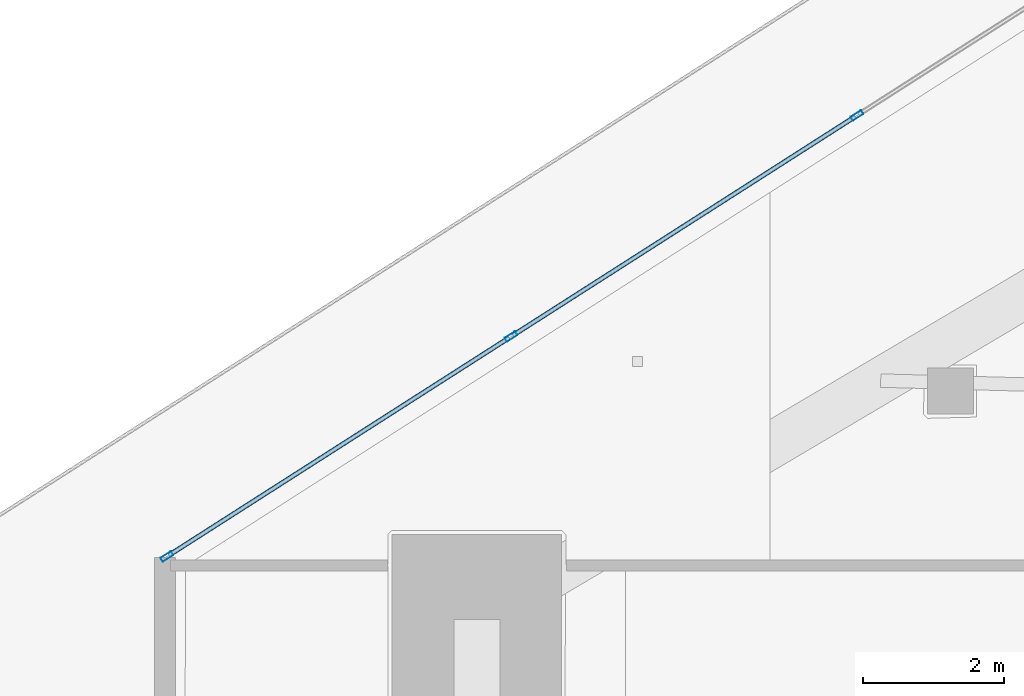
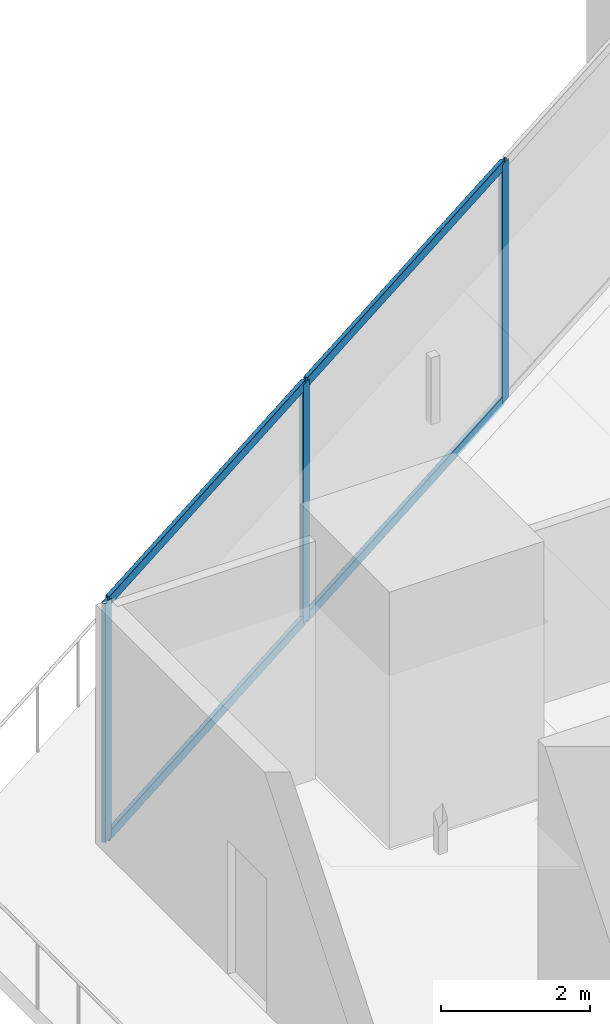
# One storey, part 13 of 44: 7 members, 1 element without a shape of its own.
"""IFC4 building model written with IfcOpenShell, lengths in metres."""

from ifc_helpers import new_model, si_unit, direction, frame, origin, origin_2d, place, context, subcontext, project, spatial, hollow_rectangle, extrude, material, layer, layer_set, material_profile, profile_set, type_object, element, aggregate, save


model = new_model("IFC4")

# Units and contexts
model_context = context("Model", 3, precision=1e-05, world=origin(), true_north=direction((0.0, 1.0)))
body_context = subcontext(model_context, "Body", "Model", "MODEL_VIEW")
ifc_project = project(units=[si_unit("LENGTHUNIT", "METRE"), si_unit("AREAUNIT", "SQUARE_METRE"), si_unit("VOLUMEUNIT", "CUBIC_METRE"), si_unit("PLANEANGLEUNIT", "RADIAN"), si_unit("MASSUNIT", "GRAM", prefix="KILO")], contexts=[model_context])

# Site, building, storey
site_placement = place(None, origin())
site = spatial("IfcSite", under=ifc_project, at=site_placement, CompositionType="ELEMENT")
building_placement = place(site_placement, origin())
building = spatial("IfcBuilding", under=site, at=building_placement, Name="Qorvath Tower", CompositionType="ELEMENT")
storey_placement = place(building_placement, frame((0.0, 0.0, 70.199951171875)))
storey = spatial("IfcBuildingStorey", under=building, at=storey_placement, Name="L15", CompositionType="ELEMENT", Elevation=70.199951171875)

# Curtain wall, members
ifc_material_1 = material(Name="Anodised aluminium and triple low-E glass", Category="aluminium")
ifc_layer = layer(ifc_material_1, 0.179931640625)
ifc_layer_set = layer_set([ifc_layer], Name="CW-SYS-2")
curtain_wall_type = type_object("IfcCurtainWallType", Name="CW-SYS-2", PredefinedType="NOTDEFINED", material=ifc_layer_set)
curtain_wall_placement = place(storey_placement, origin())
curtain_wall = element("IfcCurtainWall", 1, at=curtain_wall_placement, inside=storey, type_object=curtain_wall_type, Name="Curtain Wall CW-2 CW-T-L15-16.3", PredefinedType="NOTDEFINED")
ifc_material_2 = material(Name="Anodised aluminium 6063-T6", Category="aluminium")
ifc_material_profile_1 = material_profile(ifc_material_2, hollow_rectangle(XDim=0.06494140625, YDim=0.179931640625, WallThickness=0.00341796875, InnerFilletRadius=0.00341796875, OuterFilletRadius=0.007080078125, at=origin_2d()), Name="CWM 180x65")
ifc_profile_set_1 = profile_set([ifc_material_profile_1], Name="Anodised aluminium 6063-T6")
member_type_1 = type_object("IfcMemberType", Name="CWM-180", PredefinedType="MULLION", material=ifc_profile_set_1)
member_1_placement = place(storey_placement, frame((-49.9033203125, 10.326416015625, 0.0), z_axis=(0.0, 0.0, 1.0), x_axis=(0.538530641183, -0.842605927173, 0.0)))
member_1 = element("IfcMember", 2, at=member_1_placement, type_object=member_type_1, Name="CW-2 mullion 3", PredefinedType="MULLION", context=body_context, shape_type="SweptSolid", body=[
    extrude(hollow_rectangle(XDim=0.06494140625, YDim=0.179931640625, WallThickness=0.00341796875, InnerFilletRadius=0.00341796875, OuterFilletRadius=0.007080078125, at=origin_2d()), origin(), (0.0, 0.0, 1.0), 3.920166015625),
])
member_2_placement = place(storey_placement, frame((-54.800048828125, 7.196533203125, 0.0), z_axis=(0.0, 0.0, 1.0), x_axis=(0.538530641183, -0.842605927173, 0.0)))
member_2 = element("IfcMember", 3, at=member_2_placement, type_object=member_type_1, Name="CW-2 mullion 4", PredefinedType="MULLION", context=body_context, shape_type="SweptSolid", body=[
    extrude(hollow_rectangle(XDim=0.06494140625, YDim=0.179931640625, WallThickness=0.00341796875, InnerFilletRadius=0.00341796875, OuterFilletRadius=0.007080078125, at=origin_2d()), origin(), (0.0, 0.0, 1.0), 3.920166015625),
])
member_3_placement = place(storey_placement, frame((-59.669677734375, 4.08447265625, 0.0), z_axis=(0.0, 0.0, 1.0), x_axis=(0.538530641183, -0.842605927173, 0.0)))
member_3 = element("IfcMember", 4, at=member_3_placement, type_object=member_type_1, Name="CW-2 mullion 5", PredefinedType="MULLION", context=body_context, shape_type="SweptSolid", body=[
    extrude(hollow_rectangle(XDim=0.06494140625, YDim=0.179931640625, WallThickness=0.00341796875, InnerFilletRadius=0.00341796875, OuterFilletRadius=0.007080078125, at=origin_2d()), origin(), (0.0, 0.0, 1.0), 3.920166015625),
])
ifc_material_3 = material(Name="Anodised aluminium 6063-T6", Category="aluminium")
ifc_material_profile_2 = material_profile(ifc_material_3, hollow_rectangle(XDim=0.06494140625, YDim=0.159912109375, WallThickness=0.00341796875, InnerFilletRadius=0.00341796875, OuterFilletRadius=0.007080078125, at=origin_2d()), Name="CWT 160x65")
ifc_profile_set_2 = profile_set([ifc_material_profile_2], Name="Anodised aluminium 6063-T6")
member_type_2 = type_object("IfcMemberType", Name="CWT-160", PredefinedType="USERDEFINED", material=ifc_profile_set_2)
member_4_placement = place(storey_placement, frame((-49.9306640625, 10.308837890625, 0.032470703125), z_axis=(-0.842601476504, -0.538537604809, 0.0), x_axis=(0.538537604809, -0.842601476504, 0.0)))
member_4 = element("IfcMember", 5, at=member_4_placement, type_object=member_type_2, Name="CW-2 transom 3.1", ObjectType="TRANSOM", PredefinedType="USERDEFINED", context=body_context, shape_type="SweptSolid", body=[
    extrude(hollow_rectangle(XDim=0.06494140625, YDim=0.159912109375, WallThickness=0.00341796875, InnerFilletRadius=0.00341796875, OuterFilletRadius=0.007080078125, at=origin_2d()), origin(), (0.0, 0.0, 1.0), 5.74658203125),
])
member_5_placement = place(storey_placement, frame((-49.9306640625, 10.308837890625, 3.8876953125), z_axis=(-0.842601476504, -0.538537604809, 0.0), x_axis=(0.538537604809, -0.842601476504, 0.0)))
member_5 = element("IfcMember", 6, at=member_5_placement, type_object=member_type_2, Name="CW-2 transom 3.2", ObjectType="TRANSOM", PredefinedType="USERDEFINED", context=body_context, shape_type="SweptSolid", body=[
    extrude(hollow_rectangle(XDim=0.06494140625, YDim=0.159912109375, WallThickness=0.00341796875, InnerFilletRadius=0.00341796875, OuterFilletRadius=0.007080078125, at=origin_2d()), origin(), (0.0, 0.0, 1.0), 5.74658203125),
])
member_6_placement = place(storey_placement, frame((-54.82763671875, 7.17919921875, 0.032470703125), z_axis=(-0.842590167086, -0.53855529923, 0.0), x_axis=(0.53855529923, -0.842590167086, 0.0)))
member_6 = element("IfcMember", 7, at=member_6_placement, type_object=member_type_2, Name="CW-2 transom 4.1", ObjectType="TRANSOM", PredefinedType="USERDEFINED", context=body_context, shape_type="SweptSolid", body=[
    extrude(hollow_rectangle(XDim=0.06494140625, YDim=0.159912109375, WallThickness=0.00341796875, InnerFilletRadius=0.00341796875, OuterFilletRadius=0.007080078125, at=origin_2d()), origin(), (0.0, 0.0, 1.0), 5.714111328125),
])
member_7_placement = place(storey_placement, frame((-54.82763671875, 7.17919921875, 3.8876953125), z_axis=(-0.842590167086, -0.53855529923, 0.0), x_axis=(0.53855529923, -0.842590167086, 0.0)))
member_7 = element("IfcMember", 8, at=member_7_placement, type_object=member_type_2, Name="CW-2 transom 4.2", ObjectType="TRANSOM", PredefinedType="USERDEFINED", context=body_context, shape_type="SweptSolid", body=[
    extrude(hollow_rectangle(XDim=0.06494140625, YDim=0.159912109375, WallThickness=0.00341796875, InnerFilletRadius=0.00341796875, OuterFilletRadius=0.007080078125, at=origin_2d()), origin(), (0.0, 0.0, 1.0), 5.714111328125),
])
aggregate(curtain_wall, [member_1, member_2, member_3, member_4, member_5, member_6, member_7])

save(model, "model.ifc")
